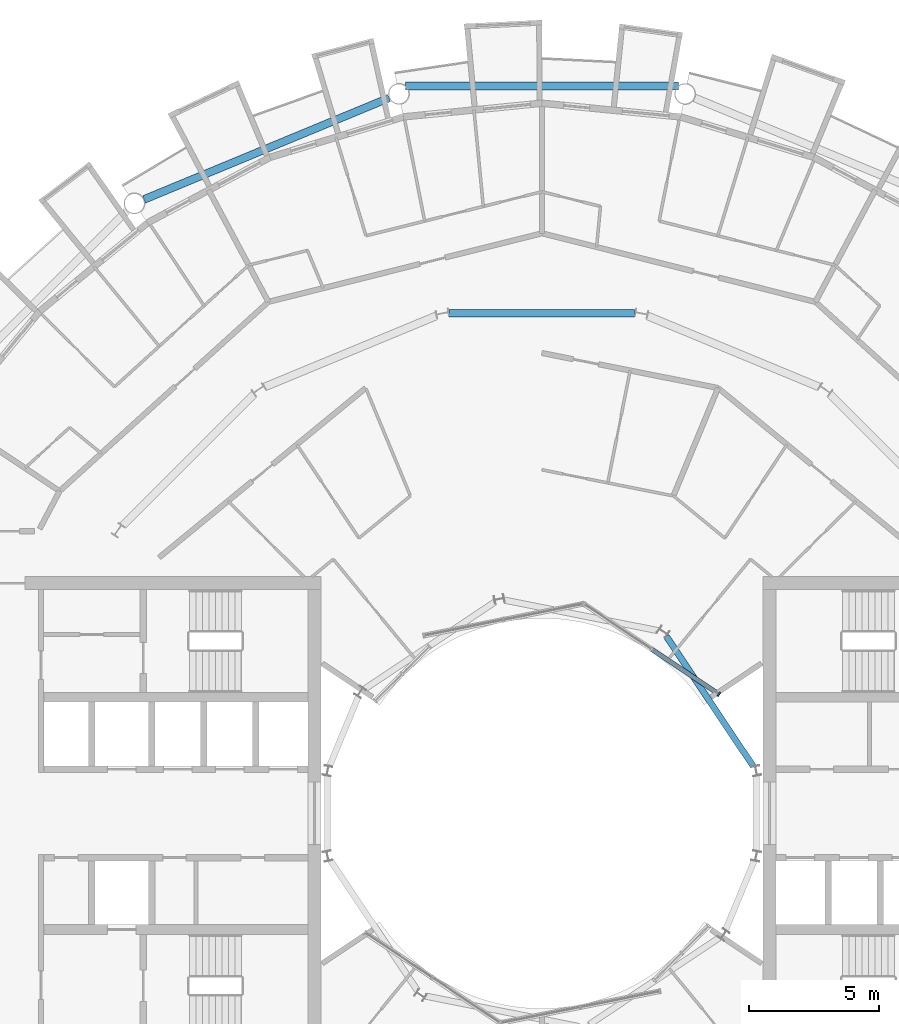
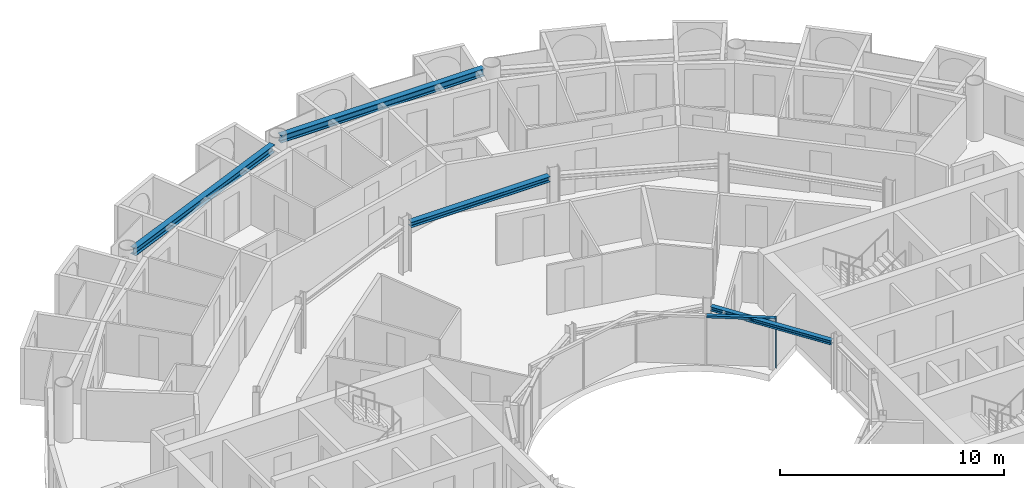
# One storey, part 9 of 27: 4 beams, 2 members, 1 element without a shape of its own.
"""IFC4 building model written with IfcOpenShell, lengths in metres."""

from ifc_helpers import new_model, si_unit, direction, frame, origin, origin_2d, place, context, subcontext, project, spatial, rectangle, i_section, extrude, material, layer, layer_set, material_profile, profile_set, type_object, element, aggregate, save


model = new_model("IFC4")

# Units and contexts
model_context = context("Model", 3, precision=1e-05, world=origin(), true_north=direction((0.0, 1.0)))
body_context = subcontext(model_context, "Body", "Model", "MODEL_VIEW")
ifc_project = project(units=[si_unit("LENGTHUNIT", "METRE"), si_unit("AREAUNIT", "SQUARE_METRE"), si_unit("VOLUMEUNIT", "CUBIC_METRE"), si_unit("PLANEANGLEUNIT", "RADIAN"), si_unit("MASSUNIT", "GRAM", prefix="KILO")], contexts=[model_context])

# Site, building, storey
site_placement = place(None, origin())
site = spatial("IfcSite", under=ifc_project, at=site_placement, CompositionType="ELEMENT")
building_placement = place(site_placement, origin())
building = spatial("IfcBuilding", under=site, at=building_placement, Name="Maasbend Ring Residences", CompositionType="ELEMENT")
storey_placement = place(building_placement, frame((0.0, 0.0, 164.64990234375)))
storey = spatial("IfcBuildingStorey", under=building, at=storey_placement, Name="L47", CompositionType="ELEMENT", Elevation=164.64990234375)

# Curtain wall, members
ifc_material_1 = material(Name="Aluminium and clear glass", Category="aluminium")
ifc_layer = layer(ifc_material_1, 0.179931640625)
ifc_layer_set = layer_set([ifc_layer], Name="CW-W")
curtain_wall_type = type_object("IfcCurtainWallType", Name="CW-W", PredefinedType="NOTDEFINED", material=ifc_layer_set)
curtain_wall_placement = place(storey_placement, origin())
curtain_wall = element("IfcCurtainWall", 1, at=curtain_wall_placement, inside=storey, type_object=curtain_wall_type, Name="Well curtain wall N1", PredefinedType="NOTDEFINED")
ifc_material_2 = material(Name="Aluminium 6063-T6", Category="aluminium")
ifc_material_profile_1 = material_profile(ifc_material_2, rectangle(XDim=0.179931640625, YDim=0.06005859375, at=origin_2d()), Name="AL 180x60")
ifc_profile_set_1 = profile_set([ifc_material_profile_1], Name="Aluminium 6063-T6")
member_type_1 = type_object("IfcMemberType", Name="CWM-W", PredefinedType="MULLION", material=ifc_profile_set_1)
member_1_placement = place(storey_placement, frame((6.805908203125, 4.580810546875, 0.0), z_axis=(0.0, 0.0, 1.0), x_axis=(-0.55557023302, -0.831469612303, 0.0)))
member_1 = element("IfcMember", 2, at=member_1_placement, type_object=member_type_1, Name="Mullion well face", PredefinedType="MULLION", context=body_context, shape_type="SweptSolid", body=[
    extrude(rectangle(XDim=0.179931640625, YDim=0.06005859375, at=origin_2d()), origin(), (0.0, 0.0, 1.0), 2.7001953125),
])
ifc_material_3 = material(Name="Aluminium 6063-T6", Category="aluminium")
ifc_material_profile_2 = material_profile(ifc_material_3, rectangle(XDim=0.179931640625, YDim=0.1201171875, at=origin_2d()), Name="AL 180x120")
ifc_profile_set_2 = profile_set([ifc_material_profile_2], Name="Aluminium 6063-T6")
member_type_2 = type_object("IfcMemberType", Name="CWT-W", PredefinedType="USERDEFINED", material=ifc_profile_set_2)
member_2_placement = place(storey_placement, frame((6.781005859375, 4.59765625, 2.64013671875), z_axis=(-0.831496422459, 0.555530106689, 0.0), x_axis=(-0.555530106689, -0.831496422459, 0.0)))
member_2 = element("IfcMember", 3, at=member_2_placement, type_object=member_type_2, Name="Transom well face", ObjectType="TRANSOM", PredefinedType="USERDEFINED", context=body_context, shape_type="SweptSolid", body=[
    extrude(rectangle(XDim=0.179931640625, YDim=0.1201171875, at=origin_2d()), origin(), (0.0, 0.0, 1.0), 3.053955078125),
])
aggregate(curtain_wall, [member_1, member_2])

# Beams
ifc_material_4 = material(Name="Steel S355J2", Category="steel")
ifc_material_profile_3 = material_profile(ifc_material_4, i_section(OverallWidth=0.300048828125, OverallDepth=0.2900390625, WebThickness=0.008544921875, FlangeThickness=0.013916015625, FilletRadius=0.027099609375, at=origin_2d()), Name="HEA 300")
ifc_profile_set_3 = profile_set([ifc_material_profile_3], Name="Steel S355J2")
beam_type_1 = type_object("IfcBeamType", Name="Corridor ring beam HEA 300", PredefinedType="BEAM", material=ifc_profile_set_3)
beam_1_placement = place(storey_placement, frame((3.56884765625, 19.223388671875, 2.55517578125), z_axis=(-1.0, 0.0, 0.0), x_axis=(0.0, -1.0, 0.0)))
element("IfcBeam", 4, at=beam_1_placement, inside=storey, type_object=beam_type_1, Name="Corridor ring beam", PredefinedType="BEAM", context=body_context, shape_type="SweptSolid", body=[
    extrude(i_section(OverallWidth=0.300048828125, OverallDepth=0.2900390625, WebThickness=0.008544921875, FlangeThickness=0.013916015625, FilletRadius=0.027099609375, at=origin_2d()), origin(), (0.0, 0.0, 1.0), 7.1376953125),
])
ifc_material_5 = material(Name="Steel S355J2", Category="steel")
ifc_material_profile_4 = material_profile(ifc_material_5, i_section(OverallWidth=0.300048828125, OverallDepth=0.39990234375, WebThickness=0.013427734375, FlangeThickness=0.02392578125, FilletRadius=0.027099609375, at=origin_2d()), Name="HEB 400")
ifc_profile_set_4 = profile_set([ifc_material_profile_4], Name="Steel S355J2")
beam_type_2 = type_object("IfcBeamType", Name="Spandrel ring beam HEB 400", PredefinedType="SPANDREL", material=ifc_profile_set_4)
beam_2_placement = place(storey_placement, frame((5.2451171875, 27.9580078125, 2.5), z_axis=(-1.0, 0.0, 0.0), x_axis=(0.0, -1.0, 0.0)))
element("IfcBeam", 5, at=beam_2_placement, inside=storey, type_object=beam_type_2, Name="Spandrel ring beam", PredefinedType="SPANDREL", context=body_context, shape_type="SweptSolid", body=[
    extrude(i_section(OverallWidth=0.300048828125, OverallDepth=0.39990234375, WebThickness=0.013427734375, FlangeThickness=0.02392578125, FilletRadius=0.027099609375, at=origin_2d()), origin(), (0.0, 0.0, 1.0), 10.490234375),
])
beam_3_placement = place(storey_placement, frame((-5.877197265625, 27.50244140625, 2.5), z_axis=(-0.923883676188, -0.382673428492, 0.0), x_axis=(0.382673428492, -0.923883676188, 0.0)))
element("IfcBeam", 6, at=beam_3_placement, inside=storey, type_object=beam_type_2, Name="Spandrel ring beam", PredefinedType="SPANDREL", context=body_context, shape_type="SweptSolid", body=[
    extrude(i_section(OverallWidth=0.300048828125, OverallDepth=0.39990234375, WebThickness=0.013427734375, FlangeThickness=0.02392578125, FilletRadius=0.027099609375, at=origin_2d()), origin(), (0.0, 0.0, 1.0), 10.18994140625),
])
ifc_material_6 = material(Name="Steel S355J2", Category="steel")
ifc_material_profile_5 = material_profile(ifc_material_6, i_section(OverallWidth=0.239990234375, OverallDepth=0.22998046875, WebThickness=0.007568359375, FlangeThickness=0.011962890625, FilletRadius=0.02099609375, at=origin_2d()), Name="HEA 240")
ifc_profile_set_5 = profile_set([ifc_material_profile_5], Name="Steel S355J2")
beam_type_3 = type_object("IfcBeamType", Name="Well edge beam HEA 240", PredefinedType="BEAM", material=ifc_profile_set_5)
beam_4_placement = place(storey_placement, frame((8.121337890625, 1.814208984375, 2.585205078125), z_axis=(-0.555553413909, 0.831480850227, 0.0), x_axis=(-0.831480850227, -0.555553413909, 0.0)))
element("IfcBeam", 7, at=beam_4_placement, inside=storey, type_object=beam_type_3, Name="Well edge beam", PredefinedType="BEAM", context=body_context, shape_type="SweptSolid", body=[
    extrude(i_section(OverallWidth=0.239990234375, OverallDepth=0.22998046875, WebThickness=0.007568359375, FlangeThickness=0.011962890625, FilletRadius=0.02099609375, at=origin_2d()), origin(), (0.0, 0.0, 1.0), 6.0068359375),
])

save(model, "model.ifc")
